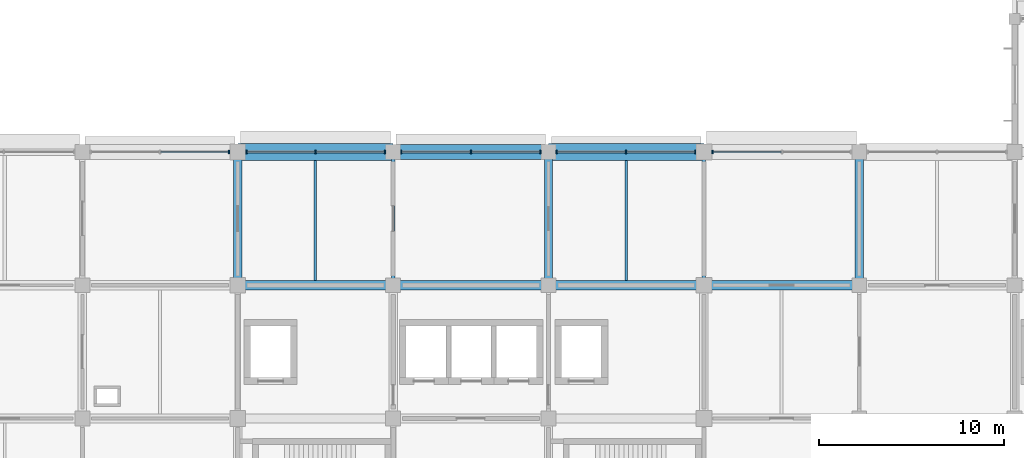
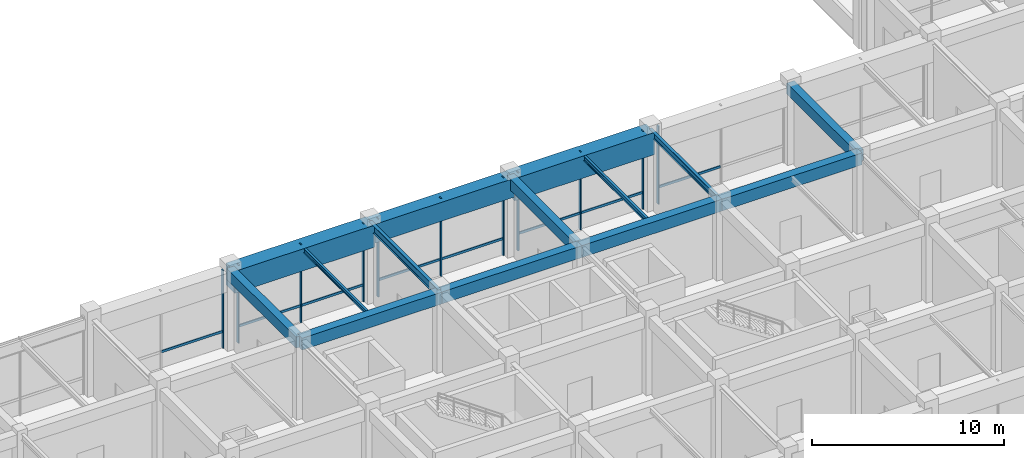
# One storey, part 17 of 38: 19 members, 14 beams, 5 elements without a shape of their own.
"""IFC4 building model written with IfcOpenShell, lengths in metres."""

from ifc_helpers import new_model, si_unit, derived_unit, direction, frame, origin, origin_2d, place, context, subcontext, project, spatial, rectangle, i_section, extrude, material, material_profile, profile_set, type_object, element, aggregate, save


model = new_model("IFC4")

# Units and contexts
model_context = context("Model", 3, precision=1e-05, world=origin(), true_north=direction((0.0, 1.0)))
body_context = subcontext(model_context, "Body", "Model", "MODEL_VIEW")
ifc_project = project(units=[si_unit("LENGTHUNIT", "METRE"), si_unit("AREAUNIT", "SQUARE_METRE"), si_unit("VOLUMEUNIT", "CUBIC_METRE"), si_unit("PLANEANGLEUNIT", "RADIAN"), si_unit("MASSUNIT", "GRAM", prefix="KILO"), derived_unit("THERMALTRANSMITTANCEUNIT", [(si_unit("MASSUNIT", "GRAM", prefix="KILO"), 1), (si_unit("TIMEUNIT", "SECOND"), -3), (si_unit("THERMODYNAMICTEMPERATUREUNIT", "KELVIN"), -1)])], contexts=[model_context])

# Site, building, storey
site_placement = place(None, origin())
site = spatial("IfcSite", under=ifc_project, at=site_placement, CompositionType="ELEMENT")
building_placement = place(site_placement, origin())
building = spatial("IfcBuilding", under=site, at=building_placement, Name="Veldstrom Oceanarium and Marine Research Institute", CompositionType="ELEMENT")
storey_placement = place(building_placement, frame((0.0, 0.0, 16.800048828125)))
storey = spatial("IfcBuildingStorey", under=building, at=storey_placement, Name="L03", CompositionType="ELEMENT", Elevation=16.800048828125)

# Curtain wall, member
ifc_material_1 = material(Name="Anodised Aluminium Framing", Category="aluminium")
curtain_wall_type = type_object("IfcCurtainWallType", Name="ARC-CW-CW02", PredefinedType="USERDEFINED", material=ifc_material_1)
curtain_wall_1_placement = place(storey_placement, origin())
curtain_wall_1 = element("IfcCurtainWall", 1, at=curtain_wall_1_placement, inside=storey, type_object=curtain_wall_type, Name="Curtain Wall CW02 CW-L03-061", ObjectType="Curtain wall", PredefinedType="USERDEFINED")
ifc_material_2 = material(Name="Anodised Aluminium Framing", Category="aluminium")
ifc_material_profile_1 = material_profile(ifc_material_2, rectangle(XDim=0.074951171875, YDim=0.179931640625, at=origin_2d()), Name="ALU-MUL-75x180")
ifc_profile_set_1 = profile_set([ifc_material_profile_1], Name="Anodised Aluminium Framing")
member_type_1 = type_object("IfcMemberType", Name="ARC-MUL-ML1", PredefinedType="MULLION", material=ifc_profile_set_1)
member_1_placement = place(storey_placement, frame((75.135009765625, 72.0, 0.0), z_axis=(0.0, 0.0, 1.0), x_axis=(1.0, 0.0, 0.0)))
member_1 = element("IfcMember", 2, at=member_1_placement, type_object=member_type_1, Name="Curtain Wall Mullion CW-L03-061-MUL-3", PredefinedType="MULLION", context=body_context, shape_type="SweptSolid", body=[
    extrude(rectangle(XDim=0.074951171875, YDim=0.179931640625, at=origin_2d()), origin(), (0.0, 0.0, 1.0), 4.949951171875),
])

# Curtain wall, members
curtain_wall_2_placement = place(storey_placement, origin())
curtain_wall_2 = element("IfcCurtainWall", 3, at=curtain_wall_2_placement, inside=storey, type_object=curtain_wall_type, Name="Curtain Wall CW02 CW-L03-063", ObjectType="Curtain wall", PredefinedType="USERDEFINED")
member_2_placement = place(storey_placement, frame((76.06494140625, 72.0, 0.0), z_axis=(0.0, 0.0, 1.0), x_axis=(1.0, 0.0, 0.0)))
member_2 = element("IfcMember", 4, at=member_2_placement, type_object=member_type_1, Name="Curtain Wall Mullion CW-L03-063-MUL-1", PredefinedType="MULLION", context=body_context, shape_type="SweptSolid", body=[
    extrude(rectangle(XDim=0.074951171875, YDim=0.179931640625, at=origin_2d()), origin(), (0.0, 0.0, 1.0), 4.949951171875),
])
member_3_placement = place(storey_placement, frame((79.8125, 72.0, 0.0), z_axis=(0.0, 0.0, 1.0), x_axis=(1.0, 0.0, 0.0)))
member_3 = element("IfcMember", 5, at=member_3_placement, type_object=member_type_1, Name="Curtain Wall Mullion CW-L03-063-MUL-2", PredefinedType="MULLION", context=body_context, shape_type="SweptSolid", body=[
    extrude(rectangle(XDim=0.074951171875, YDim=0.179931640625, at=origin_2d()), origin(), (0.0, 0.0, 1.0), 4.949951171875),
])
member_4_placement = place(storey_placement, frame((83.56005859375, 72.0, 0.0), z_axis=(0.0, 0.0, 1.0), x_axis=(1.0, 0.0, 0.0)))
member_4 = element("IfcMember", 6, at=member_4_placement, type_object=member_type_1, Name="Curtain Wall Mullion CW-L03-063-MUL-3", PredefinedType="MULLION", context=body_context, shape_type="SweptSolid", body=[
    extrude(rectangle(XDim=0.074951171875, YDim=0.179931640625, at=origin_2d()), origin(), (0.0, 0.0, 1.0), 4.949951171875),
])

curtain_wall_3_placement = place(storey_placement, origin())
curtain_wall_3 = element("IfcCurtainWall", 7, at=curtain_wall_3_placement, inside=storey, type_object=curtain_wall_type, Name="Curtain Wall CW02 CW-L03-065", ObjectType="Curtain wall", PredefinedType="USERDEFINED")
member_5_placement = place(storey_placement, frame((84.43994140625, 72.0, 0.0), z_axis=(0.0, 0.0, 1.0), x_axis=(1.0, 0.0, 0.0)))
member_5 = element("IfcMember", 8, at=member_5_placement, type_object=member_type_1, Name="Curtain Wall Mullion CW-L03-065-MUL-1", PredefinedType="MULLION", context=body_context, shape_type="SweptSolid", body=[
    extrude(rectangle(XDim=0.074951171875, YDim=0.179931640625, at=origin_2d()), origin(), (0.0, 0.0, 1.0), 4.949951171875),
])
member_6_placement = place(storey_placement, frame((88.199951171875, 72.0, 0.0), z_axis=(0.0, 0.0, 1.0), x_axis=(1.0, 0.0, 0.0)))
member_6 = element("IfcMember", 9, at=member_6_placement, type_object=member_type_1, Name="Curtain Wall Mullion CW-L03-065-MUL-2", PredefinedType="MULLION", context=body_context, shape_type="SweptSolid", body=[
    extrude(rectangle(XDim=0.074951171875, YDim=0.179931640625, at=origin_2d()), origin(), (0.0, 0.0, 1.0), 4.949951171875),
])
member_7_placement = place(storey_placement, frame((91.9599609375, 72.0, 0.0), z_axis=(0.0, 0.0, 1.0), x_axis=(1.0, 0.0, 0.0)))
member_7 = element("IfcMember", 10, at=member_7_placement, type_object=member_type_1, Name="Curtain Wall Mullion CW-L03-065-MUL-3", PredefinedType="MULLION", context=body_context, shape_type="SweptSolid", body=[
    extrude(rectangle(XDim=0.074951171875, YDim=0.179931640625, at=origin_2d()), origin(), (0.0, 0.0, 1.0), 4.949951171875),
])

curtain_wall_4_placement = place(storey_placement, origin())
curtain_wall_4 = element("IfcCurtainWall", 11, at=curtain_wall_4_placement, inside=storey, type_object=curtain_wall_type, Name="Curtain Wall CW02 CW-L03-067", ObjectType="Curtain wall", PredefinedType="USERDEFINED")
member_8_placement = place(storey_placement, frame((92.840087890625, 72.0, 0.0), z_axis=(0.0, 0.0, 1.0), x_axis=(1.0, 0.0, 0.0)))
member_8 = element("IfcMember", 12, at=member_8_placement, type_object=member_type_1, Name="Curtain Wall Mullion CW-L03-067-MUL-1", PredefinedType="MULLION", context=body_context, shape_type="SweptSolid", body=[
    extrude(rectangle(XDim=0.074951171875, YDim=0.179931640625, at=origin_2d()), origin(), (0.0, 0.0, 1.0), 4.949951171875),
])
member_9_placement = place(storey_placement, frame((96.58740234375, 72.0, 0.0), z_axis=(0.0, 0.0, 1.0), x_axis=(1.0, 0.0, 0.0)))
member_9 = element("IfcMember", 13, at=member_9_placement, type_object=member_type_1, Name="Curtain Wall Mullion CW-L03-067-MUL-2", PredefinedType="MULLION", context=body_context, shape_type="SweptSolid", body=[
    extrude(rectangle(XDim=0.074951171875, YDim=0.179931640625, at=origin_2d()), origin(), (0.0, 0.0, 1.0), 4.949951171875),
])
member_10_placement = place(storey_placement, frame((100.3349609375, 72.0, 0.0), z_axis=(0.0, 0.0, 1.0), x_axis=(1.0, 0.0, 0.0)))
member_10 = element("IfcMember", 14, at=member_10_placement, type_object=member_type_1, Name="Curtain Wall Mullion CW-L03-067-MUL-3", PredefinedType="MULLION", context=body_context, shape_type="SweptSolid", body=[
    extrude(rectangle(XDim=0.074951171875, YDim=0.179931640625, at=origin_2d()), origin(), (0.0, 0.0, 1.0), 4.949951171875),
])

# Curtain wall, member
curtain_wall_5_placement = place(storey_placement, origin())
curtain_wall_5 = element("IfcCurtainWall", 15, at=curtain_wall_5_placement, inside=storey, type_object=curtain_wall_type, Name="Curtain Wall CW02 CW-L03-069", ObjectType="Curtain wall", PredefinedType="USERDEFINED")
member_11_placement = place(storey_placement, frame((101.264892578125, 72.0, 0.0), z_axis=(0.0, 0.0, 1.0), x_axis=(1.0, 0.0, 0.0)))
member_11 = element("IfcMember", 16, at=member_11_placement, type_object=member_type_1, Name="Curtain Wall Mullion CW-L03-069-MUL-1", PredefinedType="MULLION", context=body_context, shape_type="SweptSolid", body=[
    extrude(rectangle(XDim=0.074951171875, YDim=0.179931640625, at=origin_2d()), origin(), (0.0, 0.0, 1.0), 4.949951171875),
])

# Member
ifc_material_3 = material(Name="Anodised Aluminium Framing", Category="aluminium")
ifc_material_profile_2 = material_profile(ifc_material_3, rectangle(XDim=0.074951171875, YDim=0.14990234375, at=origin_2d()), Name="ALU-TRN-75x150")
ifc_profile_set_2 = profile_set([ifc_material_profile_2], Name="Anodised Aluminium Framing")
member_type_2 = type_object("IfcMemberType", Name="ARC-TRN-TR1", PredefinedType="USERDEFINED", material=ifc_profile_set_2)
member_12_placement = place(storey_placement, frame((71.427490234375, 72.0, 1.050048828125), z_axis=(1.0, 0.0, 0.0), x_axis=(0.0, 1.0, 0.0)))
member_12 = element("IfcMember", 17, at=member_12_placement, type_object=member_type_2, Name="Curtain Wall Transom CW-L03-061-TRN-2", ObjectType="Transom", PredefinedType="USERDEFINED", context=body_context, shape_type="SweptSolid", body=[
    extrude(rectangle(XDim=0.074951171875, YDim=0.14990234375, at=origin_2d()), origin(), (0.0, 0.0, 1.0), 3.66748046875),
])

aggregate(curtain_wall_1, [member_1, member_12])

member_13_placement = place(storey_placement, frame((76.10498046875, 72.0, 1.050048828125), z_axis=(1.0, 0.0, 0.0), x_axis=(0.0, 1.0, 0.0)))
member_13 = element("IfcMember", 18, at=member_13_placement, type_object=member_type_2, Name="Curtain Wall Transom CW-L03-063-TRN-1", ObjectType="Transom", PredefinedType="USERDEFINED", context=body_context, shape_type="SweptSolid", body=[
    extrude(rectangle(XDim=0.074951171875, YDim=0.14990234375, at=origin_2d()), origin(), (0.0, 0.0, 1.0), 3.66748046875),
])

member_14_placement = place(storey_placement, frame((79.8525390625, 72.0, 1.050048828125), z_axis=(1.0, 0.0, 0.0), x_axis=(0.0, 1.0, 0.0)))
member_14 = element("IfcMember", 19, at=member_14_placement, type_object=member_type_2, Name="Curtain Wall Transom CW-L03-063-TRN-2", ObjectType="Transom", PredefinedType="USERDEFINED", context=body_context, shape_type="SweptSolid", body=[
    extrude(rectangle(XDim=0.074951171875, YDim=0.14990234375, at=origin_2d()), origin(), (0.0, 0.0, 1.0), 3.66748046875),
])

aggregate(curtain_wall_2, [member_2, member_3, member_4, member_13, member_14])

member_15_placement = place(storey_placement, frame((84.47998046875, 72.0, 1.050048828125), z_axis=(1.0, 0.0, 0.0), x_axis=(0.0, 1.0, 0.0)))
member_15 = element("IfcMember", 20, at=member_15_placement, type_object=member_type_2, Name="Curtain Wall Transom CW-L03-065-TRN-1", ObjectType="Transom", PredefinedType="USERDEFINED", context=body_context, shape_type="SweptSolid", body=[
    extrude(rectangle(XDim=0.074951171875, YDim=0.14990234375, at=origin_2d()), origin(), (0.0, 0.0, 1.0), 3.679931640625),
])

member_16_placement = place(storey_placement, frame((88.239990234375, 72.0, 1.050048828125), z_axis=(1.0, 0.0, 0.0), x_axis=(0.0, 1.0, 0.0)))
member_16 = element("IfcMember", 21, at=member_16_placement, type_object=member_type_2, Name="Curtain Wall Transom CW-L03-065-TRN-2", ObjectType="Transom", PredefinedType="USERDEFINED", context=body_context, shape_type="SweptSolid", body=[
    extrude(rectangle(XDim=0.074951171875, YDim=0.14990234375, at=origin_2d()), origin(), (0.0, 0.0, 1.0), 3.679931640625),
])

aggregate(curtain_wall_3, [member_5, member_6, member_7, member_15, member_16])

member_17_placement = place(storey_placement, frame((92.8798828125, 72.0, 1.050048828125), z_axis=(1.0, 0.0, 0.0), x_axis=(0.0, 1.0, 0.0)))
member_17 = element("IfcMember", 22, at=member_17_placement, type_object=member_type_2, Name="Curtain Wall Transom CW-L03-067-TRN-1", ObjectType="Transom", PredefinedType="USERDEFINED", context=body_context, shape_type="SweptSolid", body=[
    extrude(rectangle(XDim=0.074951171875, YDim=0.14990234375, at=origin_2d()), origin(), (0.0, 0.0, 1.0), 3.667724609375),
])

member_18_placement = place(storey_placement, frame((96.62744140625, 72.0, 1.050048828125), z_axis=(1.0, 0.0, 0.0), x_axis=(0.0, 1.0, 0.0)))
member_18 = element("IfcMember", 23, at=member_18_placement, type_object=member_type_2, Name="Curtain Wall Transom CW-L03-067-TRN-2", ObjectType="Transom", PredefinedType="USERDEFINED", context=body_context, shape_type="SweptSolid", body=[
    extrude(rectangle(XDim=0.074951171875, YDim=0.14990234375, at=origin_2d()), origin(), (0.0, 0.0, 1.0), 3.66748046875),
])

aggregate(curtain_wall_4, [member_8, member_9, member_10, member_17, member_18])

member_19_placement = place(storey_placement, frame((101.304931640625, 72.0, 1.050048828125), z_axis=(1.0, 0.0, 0.0), x_axis=(0.0, 1.0, 0.0)))
member_19 = element("IfcMember", 24, at=member_19_placement, type_object=member_type_2, Name="Curtain Wall Transom CW-L03-069-TRN-1", ObjectType="Transom", PredefinedType="USERDEFINED", context=body_context, shape_type="SweptSolid", body=[
    extrude(rectangle(XDim=0.074951171875, YDim=0.14990234375, at=origin_2d()), origin(), (0.0, 0.0, 1.0), 3.66748046875),
])

aggregate(curtain_wall_5, [member_11, member_19])

# Beams
ifc_material_4 = material(Name="Concrete C40/50", Category="concrete")
ifc_material_profile_3 = material_profile(ifc_material_4, rectangle(XDim=0.5, YDim=0.75, at=origin_2d()), Name="RC-BM-500x750")
ifc_profile_set_3 = profile_set([ifc_material_profile_3], Name="Concrete C40/50")
beam_type_1 = type_object("IfcBeamType", Name="STR-BM-B03", PredefinedType="BEAM", material=ifc_profile_set_3)
for number, where, z_axis, x_axis, name in (
    (25, (75.60009765625, 64.800048828125, 4.570068359375), (1.0, 0.0, 0.0), (0.0, 1.0, 0.0), "Primary Beam B03 L03-1902"),
    (26, (84.0, 64.800048828125, 4.570068359375), (1.0, 0.0, 0.0), (0.0, 1.0, 0.0), "Primary Beam B03 L03-1907"),
):
    element("IfcBeam", number, at=place(storey_placement, frame(where, z_axis=z_axis, x_axis=x_axis)), inside=storey, type_object=beam_type_1, Name=name, PredefinedType="BEAM", context=body_context, shape_type="SweptSolid", body=[
        extrude(rectangle(XDim=0.5, YDim=0.75, at=origin_2d()), origin(), (0.0, 0.0, 1.0), 8.39990234375),
    ])
beam_1_placement = place(storey_placement, frame((92.39990234375, 64.800048828125, 4.570068359375), z_axis=(1.0, 0.0, 0.0), x_axis=(0.0, 1.0, 0.0)))
element("IfcBeam", 27, at=beam_1_placement, inside=storey, type_object=beam_type_1, Name="Primary Beam B03 L03-1912", PredefinedType="BEAM", context=body_context, shape_type="SweptSolid", body=[
    extrude(rectangle(XDim=0.5, YDim=0.75, at=origin_2d()), origin(), (0.0, 0.0, 1.0), 8.400146484375),
])
beam_2_placement = place(storey_placement, frame((100.800048828125, 64.800048828125, 4.570068359375), z_axis=(1.0, 0.0, 0.0), x_axis=(0.0, 1.0, 0.0)))
element("IfcBeam", 28, at=beam_2_placement, inside=storey, type_object=beam_type_1, Name="Primary Beam B03 L03-1917", PredefinedType="BEAM", context=body_context, shape_type="SweptSolid", body=[
    extrude(rectangle(XDim=0.5, YDim=0.75, at=origin_2d()), origin(), (0.0, 0.0, 1.0), 8.39990234375),
])
ifc_material_5 = material(Name="Concrete C40/50", Category="concrete")
ifc_material_profile_4 = material_profile(ifc_material_5, rectangle(XDim=0.449951171875, YDim=0.699951171875, at=origin_2d()), Name="RC-BM-450x700")
ifc_profile_set_4 = profile_set([ifc_material_profile_4], Name="Concrete C40/50")
beam_type_2 = type_object("IfcBeamType", Name="STR-BM-B04", PredefinedType="BEAM", material=ifc_profile_set_4)
for number, where, z_axis, x_axis, name in (
    (29, (75.60009765625, 64.800048828125, 4.594970703125), (0.0, 1.0, 0.0), (-1.0, 0.0, 0.0), "Primary Beam B04 L03-2011"),
    (30, (92.39990234375, 64.800048828125, 4.594970703125), (0.0, 1.0, 0.0), (-1.0, 0.0, 0.0), "Primary Beam B04 L03-2019"),
    (31, (109.199951171875, 64.800048828125, 4.594970703125), (0.0, 1.0, 0.0), (-1.0, 0.0, 0.0), "Primary Beam B04 L03-2027"),
):
    element("IfcBeam", number, at=place(storey_placement, frame(where, z_axis=z_axis, x_axis=x_axis)), inside=storey, type_object=beam_type_2, Name=name, PredefinedType="BEAM", context=body_context, shape_type="SweptSolid", body=[
        extrude(rectangle(XDim=0.449951171875, YDim=0.699951171875, at=origin_2d()), origin(), (0.0, 0.0, 1.0), 7.199951171875),
    ])
ifc_material_6 = material(Name="Steel S355JR", Category="steel")
ifc_material_profile_5 = material_profile(ifc_material_6, i_section(OverallWidth=0.199951171875, OverallDepth=0.5, WebThickness=0.01025390625, FlangeThickness=0.01611328125, FilletRadius=0.02099609375, at=origin_2d()), Name="IPE 500")
ifc_profile_set_5 = profile_set([ifc_material_profile_5], Name="Steel S355JR")
beam_type_3 = type_object("IfcBeamType", Name="STR-BM-SB6", PredefinedType="BEAM", material=ifc_profile_set_5)
beam_3_placement = place(storey_placement, frame((84.0, 64.800048828125, 4.695068359375), z_axis=(0.0, 1.0, 0.0), x_axis=(-1.0, 0.0, 0.0)))
element("IfcBeam", 32, at=beam_3_placement, inside=storey, type_object=beam_type_3, Name="Steel Tie Beam SB6 L03-2015", PredefinedType="BEAM", context=body_context, shape_type="SweptSolid", body=[
    extrude(i_section(OverallWidth=0.199951171875, OverallDepth=0.5, WebThickness=0.01025390625, FlangeThickness=0.01611328125, FilletRadius=0.02099609375, at=origin_2d()), origin(), (0.0, 0.0, 1.0), 7.199951171875),
])
ifc_material_7 = material(Name="Steel S355JR", Category="steel")
ifc_material_profile_6 = material_profile(ifc_material_7, i_section(OverallWidth=0.179931640625, OverallDepth=0.39990234375, WebThickness=0.008544921875, FlangeThickness=0.013427734375, FilletRadius=0.02099609375, at=origin_2d()), Name="IPE 400")
ifc_profile_set_6 = profile_set([ifc_material_profile_6], Name="Steel S355JR")
beam_type_4 = type_object("IfcBeamType", Name="STR-BM-SB8", PredefinedType="BEAM", material=ifc_profile_set_6)
beam_4_placement = place(storey_placement, frame((100.800048828125, 64.800048828125, 4.744873046875), z_axis=(0.0, 1.0, 0.0), x_axis=(-1.0, 0.0, 0.0)))
element("IfcBeam", 33, at=beam_4_placement, inside=storey, type_object=beam_type_4, Name="Steel Tie Beam SB8 L03-2023", PredefinedType="BEAM", context=body_context, shape_type="SweptSolid", body=[
    extrude(i_section(OverallWidth=0.179931640625, OverallDepth=0.39990234375, WebThickness=0.008544921875, FlangeThickness=0.013427734375, FilletRadius=0.02099609375, at=origin_2d()), origin(), (0.0, 0.0, 1.0), 7.199951171875),
])
ifc_material_8 = material(Name="Steel S355JR", Category="steel")
ifc_material_profile_7 = material_profile(ifc_material_8, i_section(OverallWidth=0.14990234375, OverallDepth=0.300048828125, WebThickness=0.007080078125, FlangeThickness=0.0107421875, FilletRadius=0.014892578125, at=origin_2d()), Name="IPE 300")
ifc_profile_set_7 = profile_set([ifc_material_profile_7], Name="Steel S355JR")
beam_type_5 = type_object("IfcBeamType", Name="STR-JST-SJ2", PredefinedType="JOIST", material=ifc_profile_set_7)
beam_5_placement = place(storey_placement, frame((96.60009765625, 65.050048828125, 4.794921875), z_axis=(0.0, 1.0, 0.0), x_axis=(-1.0, 0.0, 0.0)))
element("IfcBeam", 34, at=beam_5_placement, inside=storey, type_object=beam_type_5, Name="Secondary Joist SJ2 L03-2080", PredefinedType="JOIST", context=body_context, shape_type="SweptSolid", body=[
    extrude(i_section(OverallWidth=0.14990234375, OverallDepth=0.300048828125, WebThickness=0.007080078125, FlangeThickness=0.0107421875, FilletRadius=0.014892578125, at=origin_2d()), origin(), (0.0, 0.0, 1.0), 6.5),
])
ifc_material_9 = material(Name="Steel S355JR", Category="steel")
ifc_material_profile_8 = material_profile(ifc_material_9, i_section(OverallWidth=0.135009765625, OverallDepth=0.27001953125, WebThickness=0.006591796875, FlangeThickness=0.01025390625, FilletRadius=0.014892578125, at=origin_2d()), Name="IPE 270")
ifc_profile_set_8 = profile_set([ifc_material_profile_8], Name="Steel S355JR")
beam_type_6 = type_object("IfcBeamType", Name="STR-JST-SJ3", PredefinedType="JOIST", material=ifc_profile_set_8)
beam_6_placement = place(storey_placement, frame((79.800048828125, 65.050048828125, 4.81005859375), z_axis=(0.0, 1.0, 0.0), x_axis=(-1.0, 0.0, 0.0)))
element("IfcBeam", 35, at=beam_6_placement, inside=storey, type_object=beam_type_6, Name="Secondary Joist SJ3 L03-2078", PredefinedType="JOIST", context=body_context, shape_type="SweptSolid", body=[
    extrude(i_section(OverallWidth=0.135009765625, OverallDepth=0.27001953125, WebThickness=0.006591796875, FlangeThickness=0.01025390625, FilletRadius=0.014892578125, at=origin_2d()), origin(), (0.0, 0.0, 1.0), 6.5),
])
ifc_material_10 = material(Name="Concrete C50/60", Category="concrete")
ifc_material_profile_9 = material_profile(ifc_material_10, rectangle(XDim=0.800048828125, YDim=1.199951171875, at=origin_2d()), Name="RC-TG-800x1200")
ifc_profile_set_9 = profile_set([ifc_material_profile_9], Name="Concrete C50/60")
beam_type_7 = type_object("IfcBeamType", Name="STR-TG-TG1", PredefinedType="BEAM", material=ifc_profile_set_9)
beam_7_placement = place(storey_placement, frame((84.0, 72.0, 4.344970703125), z_axis=(1.0, 0.0, 0.0), x_axis=(0.0, 1.0, 0.0)))
element("IfcBeam", 36, at=beam_7_placement, inside=storey, type_object=beam_type_7, Name="Transfer Girder TG1 L03-1908", PredefinedType="BEAM", context=body_context, shape_type="SweptSolid", body=[
    extrude(rectangle(XDim=0.800048828125, YDim=1.199951171875, at=origin_2d()), origin(), (0.0, 0.0, 1.0), 8.39990234375),
])
ifc_material_11 = material(Name="Concrete C50/60", Category="concrete")
ifc_material_profile_10 = material_profile(ifc_material_11, rectangle(XDim=0.89990234375, YDim=1.39990234375, at=origin_2d()), Name="RC-TG-900x1400")
ifc_profile_set_10 = profile_set([ifc_material_profile_10], Name="Concrete C50/60")
beam_type_8 = type_object("IfcBeamType", Name="STR-TG-TG2", PredefinedType="BEAM", material=ifc_profile_set_10)
beam_8_placement = place(storey_placement, frame((75.60009765625, 72.0, 4.244873046875), z_axis=(1.0, 0.0, 0.0), x_axis=(0.0, 1.0, 0.0)))
element("IfcBeam", 37, at=beam_8_placement, inside=storey, type_object=beam_type_8, Name="Transfer Girder TG2 L03-1903", PredefinedType="BEAM", context=body_context, shape_type="SweptSolid", body=[
    extrude(rectangle(XDim=0.89990234375, YDim=1.39990234375, at=origin_2d()), origin(), (0.0, 0.0, 1.0), 8.39990234375),
])
beam_9_placement = place(storey_placement, frame((92.39990234375, 72.0, 4.244873046875), z_axis=(1.0, 0.0, 0.0), x_axis=(0.0, 1.0, 0.0)))
element("IfcBeam", 38, at=beam_9_placement, inside=storey, type_object=beam_type_8, Name="Transfer Girder TG2 L03-1913", PredefinedType="BEAM", context=body_context, shape_type="SweptSolid", body=[
    extrude(rectangle(XDim=0.89990234375, YDim=1.39990234375, at=origin_2d()), origin(), (0.0, 0.0, 1.0), 8.400146484375),
])

save(model, "model.ifc")
